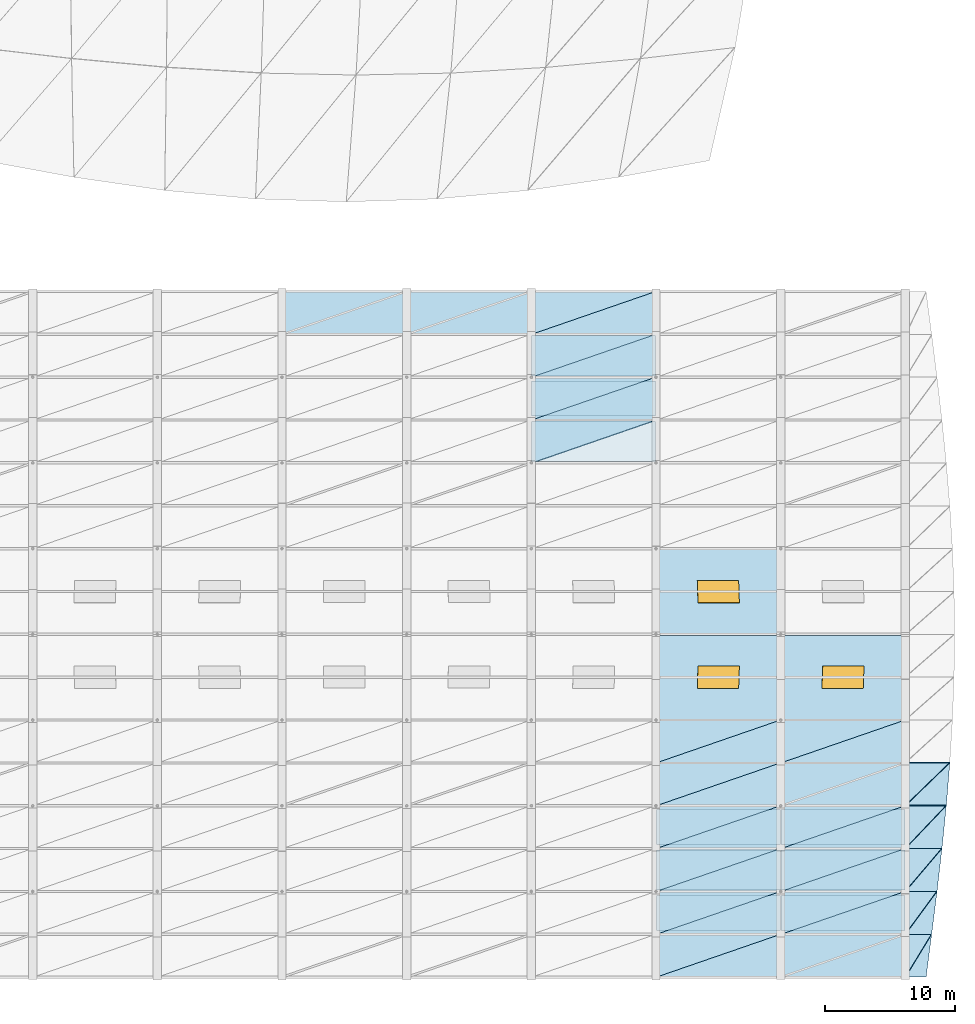
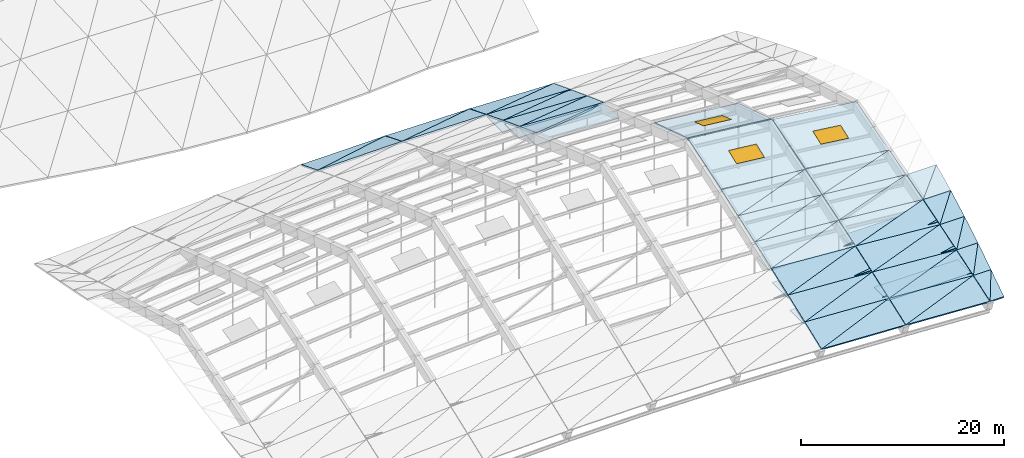
# One storey, part 40 of 43: 48 slabs, 9 plates, 3 windows, 3 openings.
"""IFC4 building model written with IfcOpenShell, lengths in metres."""

from ifc_helpers import new_model, si_unit, direction, frame, origin, origin_2d, place, context, subcontext, project, spatial, polyline, rectangle, outline, extrude, material, layer, layer_set, type_object, element, fill, save


model = new_model("IFC4")

# Units and contexts
model_context = context("Model", 3, precision=1e-05, world=origin(), true_north=direction((0.0, 1.0)))
body_context = subcontext(model_context, "Body", "Model", "MODEL_VIEW")
ifc_project = project(units=[si_unit("LENGTHUNIT", "METRE"), si_unit("AREAUNIT", "SQUARE_METRE"), si_unit("VOLUMEUNIT", "CUBIC_METRE"), si_unit("PLANEANGLEUNIT", "RADIAN"), si_unit("MASSUNIT", "GRAM", prefix="KILO")], contexts=[model_context])

# Site, building, storey
site_placement = place(None, origin())
site = spatial("IfcSite", under=ifc_project, at=site_placement, CompositionType="ELEMENT")
building_placement = place(site_placement, origin())
building = spatial("IfcBuilding", under=site, at=building_placement, Name="Chalmorin Arch Market", CompositionType="ELEMENT")
storey_placement = place(building_placement, frame((0.0, 0.0, 18.60009765625)))
storey = spatial("IfcBuildingStorey", under=building, at=storey_placement, Name="RF", CompositionType="ELEMENT", Elevation=18.60009765625)

# Slab, opening, window
ifc_material_1 = material(Name="Concrete C40/50", Category="concrete")
ifc_layer_1 = layer(ifc_material_1, 0.199951171875)
ifc_layer_set_1 = layer_set([ifc_layer_1], Name="Concrete C40/50")
slab_type_1 = type_object("IfcSlabType", Name="VaultCrownRoofSlab-200", PredefinedType="ROOF", material=ifc_layer_set_1)
slab_1_placement = place(storey_placement, frame((105.6201171875, 25.800048828125, 5.625), z_axis=(0.099241927648, -0.304801604826, 0.947231239715), x_axis=(0.994556219746, -3.666593e-06, -0.104201371162)))
slab_1 = element("IfcSlab", 1, at=slab_1_placement, inside=storey, type_object=slab_type_1, Name="RS-200-514", PredefinedType="ROOF", context=body_context, shape_type="SweptSolid", body=[
    extrude(outline(polyline([(0.0, 0.0), (9.612152373645833, 0.0), (9.393498930337671, 6.845805710086667), (-0.21862800352027978, 6.845731700817138), (0.0, 0.0)])), origin(), (0.0, 0.0, -1.0), 0.199951171875),
])
opening_1_placement = place(slab_1_placement, frame((4.6953125, 3.46484375, -0.21484375)))
opening_1 = element("IfcOpeningElement", 2, at=opening_1_placement, cuts=slab_1, Name="Opening SK-137", PredefinedType="OPENING", context=body_context, shape_type="SweptSolid", body=[
    extrude(rectangle(XDim=3.199951171875, YDim=1.800048828125, at=origin_2d()), origin(), (0.0, 0.0, 1.0), 0.22998046875),
])
ifc_material_2 = material(Name="Low-E Tempered Glass", Category="glass")
window_type = type_object("IfcWindowType", Name="VaultCrownSkylight-3200x1800", PartitioningType="SINGLE_PANEL", PredefinedType="SKYLIGHT", material=ifc_material_2)
window_1_placement = place(slab_1_placement, frame((4.6953125, 3.46484375, -0.050048828125)))
window_1 = element("IfcWindow", 3, at=window_1_placement, inside=storey, type_object=window_type, Name="SK-137", OverallHeight=1.800048828125, OverallWidth=3.199951171875, PartitioningType="SINGLE_PANEL", PredefinedType="SKYLIGHT", context=body_context, shape_type="SweptSolid", body=[
    extrude(rectangle(XDim=3.199951171875, YDim=1.800048828125, at=origin_2d()), origin(), (0.0, 0.0, 1.0), 0.050048828125),
])
fill(opening_1, window_1)

slab_2_placement = place(storey_placement, frame((105.6201171875, 32.47998046875, 7.722900390625), z_axis=(0.099241927648, 0.304801604826, 0.947231239715), x_axis=(0.994556464287, -3.666602e-06, -0.104199037095)))
slab_2 = element("IfcSlab", 4, at=slab_2_placement, inside=storey, type_object=slab_type_1, Name="RS-200-515", PredefinedType="ROOF", context=body_context, shape_type="SweptSolid", body=[
    extrude(outline(polyline([(0.0, 0.0), (9.61212693414287, 0.0), (9.830727667666224, 6.845807393421813), (0.2185752943053133, 6.8457333839564125), (0.0, 0.0)])), origin(), (0.0, 0.0, -1.0), 0.199951171875),
])
opening_2_placement = place(slab_2_placement, frame((4.913818359375, 3.380859375, -0.21484375)))
opening_2 = element("IfcOpeningElement", 5, at=opening_2_placement, cuts=slab_2, Name="Opening SK-138", PredefinedType="OPENING", context=body_context, shape_type="SweptSolid", body=[
    extrude(rectangle(XDim=3.199951171875, YDim=1.800048828125, at=origin_2d()), origin(), (0.0, 0.0, 1.0), 0.22998046875),
])
window_2_placement = place(slab_2_placement, frame((4.913818359375, 3.380859375, -0.050048828125)))
window_2 = element("IfcWindow", 6, at=window_2_placement, inside=storey, type_object=window_type, Name="SK-138", OverallHeight=1.800048828125, OverallWidth=3.199951171875, PartitioningType="SINGLE_PANEL", PredefinedType="SKYLIGHT", context=body_context, shape_type="SweptSolid", body=[
    extrude(rectangle(XDim=3.199951171875, YDim=1.800048828125, at=origin_2d()), origin(), (0.0, 0.0, 1.0), 0.050048828125),
])
fill(opening_2, window_2)

slab_3_placement = place(storey_placement, frame((115.219970703125, 25.800048828125, 4.743408203125), z_axis=(0.11756412144, -0.284806112623, 0.951348598339), x_axis=(0.992450805584, 0.0, -0.122643379341)))
slab_3 = element("IfcSlab", 7, at=slab_3_placement, inside=storey, type_object=slab_type_1, Name="RS-200-540", PredefinedType="ROOF", context=body_context, shape_type="SweptSolid", body=[
    extrude(outline(polyline([(0.0, 0.0), (9.632778309980296, -5.551115123125783e-17), (9.393390170862071, 6.801711431021612), (-0.2393881391182248, 6.801711431021612), (0.0, 0.0)])), origin(), (0.0, 0.0, -1.0), 0.199951171875),
])
opening_3_placement = place(slab_3_placement, frame((4.6953125, 3.442626953125, -0.21484375)))
opening_3 = element("IfcOpeningElement", 8, at=opening_3_placement, cuts=slab_3, Name="Opening SK-139", PredefinedType="OPENING", context=body_context, shape_type="SweptSolid", body=[
    extrude(rectangle(XDim=3.199951171875, YDim=1.800048828125, at=origin_2d()), origin(), (0.0, 0.0, 1.0), 0.22998046875),
])
window_3_placement = place(slab_3_placement, frame((4.6953125, 3.442626953125, -0.050048828125)))
window_3 = element("IfcWindow", 9, at=window_3_placement, inside=storey, type_object=window_type, Name="SK-139", OverallHeight=1.800048828125, OverallWidth=3.199951171875, PartitioningType="SINGLE_PANEL", PredefinedType="SKYLIGHT", context=body_context, shape_type="SweptSolid", body=[
    extrude(rectangle(XDim=3.199951171875, YDim=1.800048828125, at=origin_2d()), origin(), (0.0, 0.0, 1.0), 0.050048828125),
])
fill(opening_3, window_3)

# Plates
ifc_material_3 = material(Name="Precast concrete C40/50", Category="concrete")
ifc_layer_2 = layer(ifc_material_3, 0.06005859375)
ifc_layer_set_2 = layer_set([ifc_layer_2], Name="Precast concrete C40/50")
plate_type_1 = type_object("IfcPlateType", Name="VaultRoofCassette-9600x2700x60", PredefinedType="SHEET", material=ifc_layer_set_2)
for number, where, z_axis, x_axis, name in (
    (10, (100.800048828125, 50.550048828125, 0.909912109375), (0.0, 0.0, 1.0), (1.0, 0.0, 0.0), "VRC-02-081"),
    (11, (110.39990234375, 10.949951171875, -0.814453125), (0.0, 0.0, 1.0), (1.0, 0.0, 0.0), "VRC-02-083"),
    (12, (110.39990234375, 17.550048828125, 1.53857421875), (0.0, 0.0, 1.0), (1.0, 0.0, 0.0), "VRC-02-085"),
    (13, (120.0, 10.949951171875, -1.4287109375), (0.0, 0.0, 1.0), (1.0, 0.0, 0.0), "VRC-02-089"),
    (14, (120.0, 17.550048828125, 0.7607421875), (0.0, 0.0, 1.0), (1.0, 0.0, 0.0), "VRC-02-091"),
):
    element("IfcPlate", number, at=place(storey_placement, frame(where, z_axis=z_axis, x_axis=x_axis)), inside=storey, type_object=plate_type_1, Name=name, PredefinedType="SHEET", context=body_context, shape_type="SweptSolid", body=[
        extrude(rectangle(XDim=9.550048828125, YDim=2.699951171875, at=origin_2d()), origin(), (0.0, 0.0, 1.0), 0.06005859375),
    ])
ifc_layer_3 = layer(ifc_material_3, 0.06005859375)
ifc_layer_set_3 = layer_set([ifc_layer_3], Name="Precast concrete C40/50")
plate_type_2 = type_object("IfcPlateType", Name="VaultRoofCassette-9600x3100x60", PredefinedType="SHEET", material=ifc_layer_set_3)
for number, where, z_axis, x_axis, name in (
    (15, (100.800048828125, 47.25, 2.13427734375), (0.0, 0.0, 1.0), (1.0, 0.0, 0.0), "VRC-01-080"),
    (16, (100.800048828125, 53.85009765625, -0.34423828125), (0.0, 0.0, 1.0), (1.0, 0.0, 0.0), "VRC-01-082"),
    (17, (110.39990234375, 14.25, 0.376220703125), (0.0, 0.0, 1.0), (1.0, 0.0, 0.0), "VRC-01-084"),
    (18, (120.0, 14.25, -0.32080078125), (0.0, 0.0, 1.0), (1.0, 0.0, 0.0), "VRC-01-090"),
):
    element("IfcPlate", number, at=place(storey_placement, frame(where, z_axis=z_axis, x_axis=x_axis)), inside=storey, type_object=plate_type_2, Name=name, PredefinedType="SHEET", context=body_context, shape_type="SweptSolid", body=[
        extrude(rectangle(XDim=9.550048828125, YDim=3.10009765625, at=origin_2d()), origin(), (0.0, 0.0, 1.0), 0.06005859375),
    ])

# Slabs
ifc_layer_4 = layer(ifc_material_1, 0.18994140625)
ifc_layer_set_4 = layer_set([ifc_layer_4], Name="Concrete C40/50")
slab_type_2 = type_object("IfcSlabType", Name="VaultSlopedRoofSlab-190", PredefinedType="ROOF", material=ifc_layer_set_4)
slab_4_placement = place(storey_placement, frame((76.820068359375, 55.5, -0.031982421875), z_axis=(-0.011713246609, 0.375922769388, 0.92657696459), x_axis=(0.999920106852, 0.0, 0.012640407919)))
element("IfcSlab", 19, at=slab_4_placement, inside=storey, type_object=slab_type_2, Name="RS-190-460", PredefinedType="ROOF", context=body_context, shape_type="SweptSolid", body=[
    extrude(outline(polyline([(0.0, 0.0), (9.560578277816866, 0.0), (9.543654450417241, 3.561263988788179), (0.0, 0.0)])), origin(), (0.0, 0.0, -1.0), 0.18994140625),
])
slab_5_placement = place(storey_placement, frame((76.820068359375, 55.5, -0.031982421875), z_axis=(-0.009981288179, 0.371561631569, 0.928354634734), x_axis=(0.938482617572, 0.323964285868, -0.119572229207)))
element("IfcSlab", 20, at=slab_5_placement, inside=storey, type_object=slab_type_2, Name="RS-190-461", PredefinedType="ROOF", context=body_context, shape_type="SweptSolid", body=[
    extrude(outline(polyline([(0.0, 0.0), (10.186458730432689, -2.220446049250313e-16), (1.227029055684595, 3.3360510590015804), (0.0, 0.0)])), origin(), (0.0, 0.0, -1.0), 0.18994140625),
])
slab_6_placement = place(storey_placement, frame((86.419921875, 55.5, 0.0888671875), z_axis=(0.011735195661, 0.371554554646, 0.928336952892), x_axis=(0.999920110932, 0.0, -0.012640085166)))
element("IfcSlab", 21, at=slab_6_placement, inside=storey, type_object=slab_type_2, Name="RS-190-486", PredefinedType="ROOF", context=body_context, shape_type="SweptSolid", body=[
    extrude(outline(polyline([(0.0, 0.0), (9.560822398937201, 6.938893903907228e-18), (9.57751743329889, 3.554512378314002), (0.0, 0.0)])), origin(), (0.0, 0.0, -1.0), 0.18994140625),
])
slab_7_placement = place(storey_placement, frame((86.419921875, 55.5, 0.0888671875), z_axis=(0.009962110073, 0.375929904657, 0.92659455165), x_axis=(0.935807340932, 0.32303253045, -0.141119116099)))
element("IfcSlab", 22, at=slab_7_placement, inside=storey, type_object=slab_type_2, Name="RS-190-487", PredefinedType="ROOF", context=body_context, shape_type="SweptSolid", body=[
    extrude(outline(polyline([(0.0, 0.0), (10.21584056417932, 3.3306690738754696e-16), (1.2549628776331125, 3.3328600014906367), (0.0, 0.0)])), origin(), (0.0, 0.0, -1.0), 0.18994140625),
])
slab_8_placement = place(storey_placement, frame((96.02001953125, 45.60009765625, 3.74853515625), z_axis=(0.04346336264, 0.348878104719, 0.936159710816), x_axis=(0.932591829001, 0.321898747657, -0.163259537969)))
element("IfcSlab", 23, at=slab_8_placement, inside=storey, type_object=slab_type_2, Name="RS-190-507", PredefinedType="ROOF", context=body_context, shape_type="SweptSolid", body=[
    extrude(outline(polyline([(0.0, 0.0), (10.251064073760183, -1.1102230246251565e-16), (1.2629691811741939, 3.287228507384529), (0.0, 0.0)])), origin(), (0.0, 0.0, -1.0), 0.18994140625),
])
slab_9_placement = place(storey_placement, frame((96.02001953125, 48.89990234375, 2.518798828125), z_axis=(0.043544219459, 0.344158496657, 0.937901290185), x_axis=(0.998923992344, 0.0, -0.046377338426)))
element("IfcSlab", 24, at=slab_9_placement, inside=storey, type_object=slab_type_2, Name="RS-190-508", PredefinedType="ROOF", context=body_context, shape_type="SweptSolid", body=[
    extrude(outline(polyline([(0.0, 0.0), (9.570356370475023, -2.7755575615628914e-17), (9.626516428725138, 3.5147600124009575), (0.0, 0.0)])), origin(), (0.0, 0.0, -1.0), 0.18994140625),
])
slab_10_placement = place(storey_placement, frame((96.02001953125, 48.89990234375, 2.518798828125), z_axis=(0.038524448634, 0.356494852845, 0.933502697774), x_axis=(0.932862439391, 0.322015976129, -0.161472537264)))
element("IfcSlab", 25, at=slab_10_placement, inside=storey, type_object=slab_type_2, Name="RS-190-509", PredefinedType="ROOF", context=body_context, shape_type="SweptSolid", body=[
    extrude(outline(polyline([(0.0, 0.0), (10.248090382958562, 1.1102230246251565e-16), (1.2661648405009227, 3.29778543463744), (0.0, 0.0)])), origin(), (0.0, 0.0, -1.0), 0.18994140625),
])
slab_11_placement = place(storey_placement, frame((96.02001953125, 52.199951171875, 1.258544921875), z_axis=(0.038601838251, 0.351536586026, 0.935377959313), x_axis=(0.999149533114, 0.0, -0.041233608599)))
element("IfcSlab", 26, at=slab_11_placement, inside=storey, type_object=slab_type_2, Name="RS-190-510", PredefinedType="ROOF", context=body_context, shape_type="SweptSolid", body=[
    extrude(outline(polyline([(0.0, 0.0), (9.568196027630275, 0.0), (9.619335366419817, 3.5250373531310264), (0.0, 0.0)])), origin(), (0.0, 0.0, -1.0), 0.18994140625),
])
slab_12_placement = place(storey_placement, frame((96.02001953125, 52.199951171875, 1.258544921875), z_axis=(0.033516063907, 0.363999883152, 0.930795766281), x_axis=(0.933155054347, 0.322116984259, -0.159569085344)))
element("IfcSlab", 27, at=slab_12_placement, inside=storey, type_object=slab_type_2, Name="RS-190-511", PredefinedType="ROOF", context=body_context, shape_type="SweptSolid", body=[
    extrude(outline(polyline([(0.0, 0.0), (10.244876828572615, -1.1102230246251565e-16), (1.2689300442771159, 3.308413462024735), (0.0, 0.0)])), origin(), (0.0, 0.0, -1.0), 0.18994140625),
])
slab_13_placement = place(storey_placement, frame((96.02001953125, 55.5, -0.031982421875), z_axis=(0.033588786704, 0.358785769696, 0.932815396995), x_axis=(0.999352342864, 0.0, -0.035984646903)))
element("IfcSlab", 28, at=slab_13_placement, inside=storey, type_object=slab_type_2, Name="RS-190-512", PredefinedType="ROOF", context=body_context, shape_type="SweptSolid", body=[
    extrude(outline(polyline([(0.0, 0.0), (9.566254246580067, 0.0), (9.611929095029788, 3.535438564344433), (0.0, 0.0)])), origin(), (0.0, 0.0, -1.0), 0.18994140625),
])
slab_14_placement = place(storey_placement, frame((96.02001953125, 55.5, -0.031982421875), z_axis=(0.028415730057, 0.371430094394, 0.928025986308), x_axis=(0.933461913265, 0.322222909281, -0.157547622064)))
element("IfcSlab", 29, at=slab_14_placement, inside=storey, type_object=slab_type_2, Name="RS-190-513", PredefinedType="ROOF", context=body_context, shape_type="SweptSolid", body=[
    extrude(outline(polyline([(0.0, 0.0), (10.241509008448608, -1.1102230246251565e-16), (1.2714403564720296, 3.31937891655865), (0.0, 0.0)])), origin(), (0.0, 0.0, -1.0), 0.18994140625),
])
slab_15_placement = place(storey_placement, frame((105.6201171875, 6.0, -1.6455078125), z_axis=(0.043050162493, -0.339444032363, 0.939640586822), x_axis=(0.998952116488, 0.0, -0.045767553617)))
element("IfcSlab", 30, at=slab_15_placement, inside=storey, type_object=slab_type_2, Name="RS-190-516", PredefinedType="ROOF", context=body_context, shape_type="SweptSolid", body=[
    extrude(outline(polyline([(0.0, 0.0), (9.569842533327806, 2.7755575615628914e-17), (9.51528126274391, 3.5083528825848393), (0.0, 0.0)])), origin(), (0.0, 0.0, -1.0), 0.18994140625),
])
slab_16_placement = place(storey_placement, frame((105.6201171875, 6.0, -1.6455078125), z_axis=(0.050230245838, -0.358535169614, 0.932163856064), x_axis=(0.942647192545, 0.325401897531, 0.074363132461)))
element("IfcSlab", 31, at=slab_16_placement, inside=storey, type_object=slab_type_2, Name="RS-190-517", PredefinedType="ROOF", context=body_context, shape_type="SweptSolid", body=[
    extrude(outline(polyline([(0.0, 0.0), (10.141455391504055, 4.996003610813204e-16), (1.1682303160633964, 3.3371619623064666), (0.0, 0.0)])), origin(), (0.0, 0.0, -1.0), 0.18994140625),
])
slab_17_placement = place(storey_placement, frame((105.6201171875, 9.300048828125, -0.376220703125), z_axis=(0.050747817537, -0.332409500897, 0.941768858441), x_axis=(0.998551322998, 0.0, -0.053807576973)))
element("IfcSlab", 32, at=slab_17_placement, inside=storey, type_object=slab_type_2, Name="RS-190-518", PredefinedType="ROOF", context=body_context, shape_type="SweptSolid", body=[
    extrude(outline(polyline([(0.0, 0.0), (9.573683628425485, -2.7755575615628914e-17), (9.511008836009138, 3.4990200554484594), (0.0, 0.0)])), origin(), (0.0, 0.0, -1.0), 0.18994140625),
])
slab_18_placement = place(storey_placement, frame((105.6201171875, 9.300048828125, -0.376220703125), z_axis=(0.057731449157, -0.35121204381, 0.934514408696), x_axis=(0.943320130757, 0.325634195864, 0.064105392853)))
element("IfcSlab", 33, at=slab_18_placement, inside=storey, type_object=slab_type_2, Name="RS-190-519", PredefinedType="ROOF", context=body_context, shape_type="SweptSolid", body=[
    extrude(outline(polyline([(0.0, 0.0), (10.134220760723265, -2.498001805406602e-16), (1.1541144582971183, 3.3311444565029555), (0.0, 0.0)])), origin(), (0.0, 0.0, -1.0), 0.18994140625),
])
slab_19_placement = place(storey_placement, frame((105.6201171875, 12.60009765625, 0.864013671875), z_axis=(0.058306475553, -0.325268220907, 0.943822514765), x_axis=(0.998097248777, 0.0, -0.061659403039)))
element("IfcSlab", 34, at=slab_19_placement, inside=storey, type_object=slab_type_2, Name="RS-190-520", PredefinedType="ROOF", context=body_context, shape_type="SweptSolid", body=[
    extrude(outline(polyline([(0.0, 0.0), (9.578039078692683, 0.0), (9.50791957201422, 3.489560726274094), (0.0, 0.0)])), origin(), (0.0, 0.0, -1.0), 0.18994140625),
])
slab_20_placement = place(storey_placement, frame((105.6201171875, 12.60009765625, 0.864013671875), z_axis=(0.065097217491, -0.343776976932, 0.93679226214), x_axis=(0.943894080831, 0.32580821811, 0.053971929591)))
element("IfcSlab", 35, at=slab_20_placement, inside=storey, type_object=slab_type_2, Name="RS-190-521", PredefinedType="ROOF", context=body_context, shape_type="SweptSolid", body=[
    extrude(outline(polyline([(0.0, 0.0), (10.128058483749275, 4.718447854656915e-16), (1.140460118832715, 3.324820494689194), (0.0, 0.0)])), origin(), (0.0, 0.0, -1.0), 0.18994140625),
])
slab_21_placement = place(storey_placement, frame((105.6201171875, 15.89990234375, 2.074951171875), z_axis=(0.065721922368, -0.3180828434, 0.945782180872), x_axis=(0.997594314234, 0.0, -0.069322321144)))
element("IfcSlab", 36, at=slab_21_placement, inside=storey, type_object=slab_type_2, Name="RS-190-522", PredefinedType="ROOF", context=body_context, shape_type="SweptSolid", body=[
    extrude(outline(polyline([(0.0, 0.0), (9.582867821845197, 2.7755575615628914e-17), (9.50592952303662, 3.480833128613414), (0.0, 0.0)])), origin(), (0.0, 0.0, -1.0), 0.18994140625),
])
slab_22_placement = place(storey_placement, frame((105.6201171875, 15.89990234375, 2.074951171875), z_axis=(0.072301010424, -0.336226166631, 0.939001878999), x_axis=(0.94434839252, 0.325989151919, 0.044013479489)))
element("IfcSlab", 37, at=slab_22_placement, inside=storey, type_object=slab_type_2, Name="RS-190-523", PredefinedType="ROOF", context=body_context, shape_type="SweptSolid", body=[
    extrude(outline(polyline([(0.0, 0.0), (10.123186028429581, -3.3306690738754696e-16), (1.1277882341831578, 3.318838732674067), (0.0, 0.0)])), origin(), (0.0, 0.0, -1.0), 0.18994140625),
])
slab_23_placement = place(storey_placement, frame((105.6201171875, 19.199951171875, 3.256591796875), z_axis=(0.072966970432, -0.310859242536, 0.947650965575), x_axis=(0.99704879106, 0.0, -0.076770490718)))
element("IfcSlab", 38, at=slab_23_placement, inside=storey, type_object=slab_type_2, Name="RS-190-524", PredefinedType="ROOF", context=body_context, shape_type="SweptSolid", body=[
    extrude(outline(polyline([(0.0, 0.0), (9.588110971939729, 0.0), (9.505005416313786, 3.4720691626422147), (0.0, 0.0)])), origin(), (0.0, 0.0, -1.0), 0.18994140625),
])
slab_24_placement = place(storey_placement, frame((105.6201171875, 19.199951171875, 3.256591796875), z_axis=(0.079360091137, -0.328691283062, 0.941097240658), x_axis=(0.944710305701, 0.326114084382, 0.034235102888)))
element("IfcSlab", 39, at=slab_24_placement, inside=storey, type_object=slab_type_2, Name="RS-190-525", PredefinedType="ROOF", context=body_context, shape_type="SweptSolid", body=[
    extrude(outline(polyline([(0.0, 0.0), (10.119307893049081, 1.6653345369377348e-16), (1.1156513670242374, 3.3127183914244096), (0.0, 0.0)])), origin(), (0.0, 0.0, -1.0), 0.18994140625),
])
slab_25_placement = place(storey_placement, frame((105.6201171875, 22.5, 4.4091796875), z_axis=(0.080063340026, -0.303578139229, 0.949436767229), x_axis=(0.996463313136, 0.0, -0.084028956763)))
element("IfcSlab", 40, at=slab_25_placement, inside=storey, type_object=slab_type_2, Name="RS-190-526", PredefinedType="ROOF", context=body_context, shape_type="SweptSolid", body=[
    extrude(outline(polyline([(0.0, 0.0), (9.593744523360588, 2.7755575615628914e-17), (9.505079203260427, 3.4635035236530762), (0.0, 0.0)])), origin(), (0.0, 0.0, -1.0), 0.18994140625),
])
slab_26_placement = place(storey_placement, frame((105.6201171875, 22.5, 4.4091796875), z_axis=(0.086273749207, -0.321091494642, 0.943110328788), x_axis=(0.944977985989, 0.326206487642, 0.024615714833)))
element("IfcSlab", 41, at=slab_26_placement, inside=storey, type_object=slab_type_2, Name="RS-190-527", PredefinedType="ROOF", context=body_context, shape_type="SweptSolid", body=[
    extrude(outline(polyline([(0.0, 0.0), (10.116441435535085, -5.412337245047638e-16), (1.1041539582816602, 3.3065839701646538), (0.0, 0.0)])), origin(), (0.0, 0.0, -1.0), 0.18994140625),
])
slab_27_placement = place(storey_placement, frame((115.219970703125, 6.0, -2.08349609375), z_axis=(0.051192320591, -0.316086453496, 0.947348246543), x_axis=(0.998543164632, 0.0, -0.053958765421)))
element("IfcSlab", 42, at=slab_27_placement, inside=storey, type_object=slab_type_2, Name="RS-190-542", PredefinedType="ROOF", context=body_context, shape_type="SweptSolid", body=[
    extrude(outline(polyline([(0.0, 0.0), (9.57400634480209, 0.0), (9.514593739321258, 3.4783842291378755), (0.0, 0.0)])), origin(), (0.0, 0.0, -1.0), 0.18994140625),
])
slab_28_placement = place(storey_placement, frame((115.219970703125, 6.0, -2.08349609375), z_axis=(0.059675258205, -0.339153515206, 0.938836384404), x_axis=(0.943692440065, 0.325754397884, 0.057694460941)))
element("IfcSlab", 43, at=slab_28_placement, inside=storey, type_object=slab_type_2, Name="RS-190-543", PredefinedType="ROOF", context=body_context, shape_type="SweptSolid", body=[
    extrude(outline(polyline([(0.0, 0.0), (10.13048127533171, 2.7755575615628914e-17), (1.1437852170353984, 3.317118065170482), (0.0, 0.0)])), origin(), (0.0, 0.0, -1.0), 0.18994140625),
])
slab_29_placement = place(storey_placement, frame((115.219970703125, 9.300048828125, -0.891357421875), z_axis=(0.060322137858, -0.309410513803, 0.949013368521), x_axis=(0.997985973277, 0.0, -0.063434983592)))
element("IfcSlab", 44, at=slab_29_placement, inside=storey, type_object=slab_type_2, Name="RS-190-544", PredefinedType="ROOF", context=body_context, shape_type="SweptSolid", body=[
    extrude(outline(polyline([(0.0, 0.0), (9.579351663994741, -2.7755575615628914e-17), (9.511100205818767, 3.470343570320287), (0.0, 0.0)])), origin(), (0.0, 0.0, -1.0), 0.18994140625),
])
slab_30_placement = place(storey_placement, frame((115.219970703125, 9.300048828125, -0.891357421875), z_axis=(0.068542975348, -0.332055582319, 0.940766150954), x_axis=(0.944255422222, 0.325948734414, 0.046250623112)))
element("IfcSlab", 45, at=slab_30_placement, inside=storey, type_object=slab_type_2, Name="RS-190-545", PredefinedType="ROOF", context=body_context, shape_type="SweptSolid", body=[
    extrude(outline(polyline([(0.0, 0.0), (10.124441299211979, -2.7755575615628914e-17), (1.1295192299655819, 3.3122886026391085), (0.0, 0.0)])), origin(), (0.0, 0.0, -1.0), 0.18994140625),
])
slab_31_placement = place(storey_placement, frame((115.219970703125, 12.60009765625, 0.2734375), z_axis=(0.069260032171, -0.302568451271, 0.950607900367), x_axis=(0.997356327314, 0.0, -0.072666060622)))
element("IfcSlab", 46, at=slab_31_placement, inside=storey, type_object=slab_type_2, Name="RS-190-546", PredefinedType="ROOF", context=body_context, shape_type="SweptSolid", body=[
    extrude(outline(polyline([(0.0, 0.0), (9.585399251934621, 2.7755575615628914e-17), (9.50907859939681, 3.4620805094406553), (0.0, 0.0)])), origin(), (0.0, 0.0, -1.0), 0.18994140625),
])
slab_32_placement = place(storey_placement, frame((115.219970703125, 12.60009765625, 0.2734375), z_axis=(0.07724660874, -0.324848980623, 0.942606015908), x_axis=(0.944696677106, 0.326076926497, 0.034957492342)))
element("IfcSlab", 47, at=slab_32_placement, inside=storey, type_object=slab_type_2, Name="RS-190-547", PredefinedType="ROOF", context=body_context, shape_type="SweptSolid", body=[
    extrude(outline(polyline([(0.0, 0.0), (10.119712311293995, 6.938893903907228e-17), (1.115744076626355, 3.307123517960074), (0.0, 0.0)])), origin(), (0.0, 0.0, -1.0), 0.18994140625),
])
slab_33_placement = place(storey_placement, frame((115.219970703125, 15.89990234375, 1.41064453125), z_axis=(0.078022311006, -0.295757084002, 0.952071565718), x_axis=(0.996658913962, 0.0, -0.081676246358)))
element("IfcSlab", 48, at=slab_33_placement, inside=storey, type_object=slab_type_2, Name="RS-190-548", PredefinedType="ROOF", context=body_context, shape_type="SweptSolid", body=[
    extrude(outline(polyline([(0.0, 0.0), (9.592106647340225, 0.0), (9.50837653052888, 3.4545964814974224), (0.0, 0.0)])), origin(), (0.0, 0.0, -1.0), 0.18994140625),
])
slab_34_placement = place(storey_placement, frame((115.219970703125, 15.89990234375, 1.41064453125), z_axis=(0.085756982292, -0.317597706499, 0.944339682961), x_axis=(0.944997161594, 0.326204776374, 0.023891597885)))
element("IfcSlab", 49, at=slab_34_placement, inside=storey, type_object=slab_type_2, Name="RS-190-549", PredefinedType="ROOF", context=body_context, shape_type="SweptSolid", body=[
    extrude(outline(polyline([(0.0, 0.0), (10.116494506314268, 1.0547118733938987e-15), (1.1030080972259642, 3.3023464246699143), (0.0, 0.0)])), origin(), (0.0, 0.0, -1.0), 0.18994140625),
])
slab_35_placement = place(storey_placement, frame((115.219970703125, 19.199951171875, 2.5205078125), z_axis=(0.086584402551, -0.288849757077, 0.953451078489), x_axis=(0.995901957403, 0.0, -0.090439434101)))
element("IfcSlab", 50, at=slab_35_placement, inside=storey, type_object=slab_type_2, Name="RS-190-550", PredefinedType="ROOF", context=body_context, shape_type="SweptSolid", body=[
    extrude(outline(polyline([(0.0, 0.0), (9.599397332924068, -2.7755575615628914e-17), (9.508979978763065, 3.4469782053895197), (0.0, 0.0)])), origin(), (0.0, 0.0, -1.0), 0.18994140625),
])
slab_36_placement = place(storey_placement, frame((115.219970703125, 19.199951171875, 2.5205078125), z_axis=(0.094094331558, -0.310307217052, 0.945968121986), x_axis=(0.945186978713, 0.326270299588, 0.013010260522)))
element("IfcSlab", 51, at=slab_36_placement, inside=storey, type_object=slab_type_2, Name="RS-190-551", PredefinedType="ROOF", context=body_context, shape_type="SweptSolid", body=[
    extrude(outline(polyline([(0.0, 0.0), (10.114462861909535, -5.48172618408671e-16), (1.0907917809286172, 3.297323777581674), (0.0, 0.0)])), origin(), (0.0, 0.0, -1.0), 0.18994140625),
])
slab_37_placement = place(storey_placement, frame((115.219970703125, 22.5, 3.60302734375), z_axis=(0.094964415438, -0.281957829099, 0.954715424831), x_axis=(0.995089386539, 0.0, -0.098980365713)))
element("IfcSlab", 52, at=slab_37_placement, inside=storey, type_object=slab_type_2, Name="RS-190-552", PredefinedType="ROOF", context=body_context, shape_type="SweptSolid", body=[
    extrude(outline(polyline([(0.0, 0.0), (9.607236016250294, 0.0), (9.510768823885938, 3.4396045968460403), (0.0, 0.0)])), origin(), (0.0, 0.0, -1.0), 0.18994140625),
])
slab_38_placement = place(storey_placement, frame((115.219970703125, 22.5, 3.60302734375), z_axis=(0.102232091462, -0.302960133293, 0.947503961528), x_axis=(0.945264391896, 0.326297021943, 0.002341555902)))
element("IfcSlab", 53, at=slab_38_placement, inside=storey, type_object=slab_type_2, Name="RS-190-553", PredefinedType="ROOF", context=body_context, shape_type="SweptSolid", body=[
    extrude(outline(polyline([(0.0, 0.0), (10.113634529883168, -2.888314587501384e-16), (1.07926685796338, 3.292248661120175), (0.0, 0.0)])), origin(), (0.0, 0.0, -1.0), 0.18994140625),
])
slab_39_placement = place(storey_placement, frame((124.820068359375, 6.0, -2.60009765625), z_axis=(0.0, -0.316501445903, 0.948592027555), x_axis=(1.0, 0.0, 0.0)))
element("IfcSlab", 54, at=slab_39_placement, inside=storey, type_object=slab_type_2, Name="RS-190-598", PredefinedType="ROOF", context=body_context, shape_type="SweptSolid", body=[
    extrude(outline(polyline([(0.0, 0.0), (1.579833984375, 0.0), (2.009033203125, 3.4788915911831895), (0.0, 0.0)])), origin(), (0.0, 0.0, -1.0), 0.18994140625),
])
slab_40_placement = place(storey_placement, frame((124.820068359375, 6.0, -2.60009765625), z_axis=(0.0, -0.316501445903, 0.948592027555), x_axis=(0.500092261255, 0.821454258765, 0.274081431311)))
element("IfcSlab", 55, at=slab_40_placement, inside=storey, type_object=slab_type_2, Name="RS-190-599", PredefinedType="ROOF", context=body_context, shape_type="SweptSolid", body=[
    extrude(outline(polyline([(0.0, 0.0), (4.017325119337967, 1.1102230246251565e-16), (3.012623161851428, 1.7397667624947362), (0.0, 0.0)])), origin(), (0.0, 0.0, -1.0), 0.18994140625),
])
slab_41_placement = place(storey_placement, frame((124.820068359375, 9.300048828125, -1.4990234375), z_axis=(0.0, -0.309974990116, 0.950744711004), x_axis=(1.0, 0.0, 0.0)))
element("IfcSlab", 56, at=slab_41_placement, inside=storey, type_object=slab_type_2, Name="RS-190-600", PredefinedType="ROOF", context=body_context, shape_type="SweptSolid", body=[
    extrude(outline(polyline([(0.0, 0.0), (2.009033203125, 0.0), (2.421875, 3.4710146582240915), (0.0, 0.0)])), origin(), (0.0, 0.0, -1.0), 0.18994140625),
])
slab_42_placement = place(storey_placement, frame((124.820068359375, 9.300048828125, -1.4990234375), z_axis=(0.0, -0.309974990116, 0.950744711004), x_axis=(0.572219237732, 0.779706394801, 0.254210703698)))
element("IfcSlab", 57, at=slab_42_placement, inside=storey, type_object=slab_type_2, Name="RS-190-601", PredefinedType="ROOF", context=body_context, shape_type="SweptSolid", body=[
    extrude(outline(polyline([(0.0, 0.0), (4.232424987313007, -2.498001805406602e-16), (2.846581520929743, 1.986181361887131), (0.0, 0.0)])), origin(), (0.0, 0.0, -1.0), 0.18994140625),
])
slab_43_placement = place(storey_placement, frame((124.820068359375, 12.60009765625, -0.423095703125), z_axis=(0.0, -0.303296775801, 0.952896146381), x_axis=(1.0, 0.0, 0.0)))
element("IfcSlab", 58, at=slab_43_placement, inside=storey, type_object=slab_type_2, Name="RS-190-602", PredefinedType="ROOF", context=body_context, shape_type="SweptSolid", body=[
    extrude(outline(polyline([(0.0, 0.0), (2.421875, 0.0), (2.802001953125, 3.462921641598703), (0.0, 0.0)])), origin(), (0.0, 0.0, -1.0), 0.18994140625),
])
slab_44_placement = place(storey_placement, frame((124.820068359375, 12.60009765625, -0.423095703125), z_axis=(0.0, -0.303296775801, 0.952896146381), x_axis=(0.629019799977, 0.740771248278, 0.235779661889)))
element("IfcSlab", 59, at=slab_44_placement, inside=storey, type_object=slab_type_2, Name="RS-190-603", PredefinedType="ROOF", context=body_context, shape_type="SweptSolid", body=[
    extrude(outline(polyline([(0.0, 0.0), (4.454552866581446, -2.7755575615628914e-16), (2.692038158490987, 2.178246278335193), (0.0, 0.0)])), origin(), (0.0, 0.0, -1.0), 0.18994140625),
])
slab_45_placement = place(storey_placement, frame((124.820068359375, 15.89990234375, 0.627197265625), z_axis=(0.0, -0.296661422778, 0.95498272248), x_axis=(1.0, 0.0, 0.0)))
element("IfcSlab", 60, at=slab_45_placement, inside=storey, type_object=slab_type_2, Name="RS-190-604", PredefinedType="ROOF", context=body_context, shape_type="SweptSolid", body=[
    extrude(outline(polyline([(0.0, 0.0), (2.802001953125, 0.0), (3.135986328125, 3.455611028810333), (0.0, 0.0)])), origin(), (0.0, 0.0, -1.0), 0.18994140625),
])
slab_46_placement = place(storey_placement, frame((124.820068359375, 15.89990234375, 0.627197265625), z_axis=(0.0, -0.296661422778, 0.95498272248), x_axis=(0.672029780283, 0.707187741541, 0.219684939464)))
element("IfcSlab", 61, at=slab_46_placement, inside=storey, type_object=slab_type_2, Name="RS-190-605", PredefinedType="ROOF", context=body_context, shape_type="SweptSolid", body=[
    extrude(outline(polyline([(0.0, 0.0), (4.666439524157849, -1.3877787807814457e-16), (2.558963321096644, 2.322273520435878), (0.0, 0.0)])), origin(), (0.0, 0.0, -1.0), 0.18994140625),
])
slab_47_placement = place(storey_placement, frame((124.820068359375, 19.199951171875, 1.65234375), z_axis=(0.0, -0.2899386161, 0.957045243912), x_axis=(1.0, 0.0, 0.0)))
element("IfcSlab", 62, at=slab_47_placement, inside=storey, type_object=slab_type_2, Name="RS-190-606", PredefinedType="ROOF", context=body_context, shape_type="SweptSolid", body=[
    extrude(outline(polyline([(0.0, 0.0), (3.135986328125, 0.0), (3.408935546875, 3.4481638659384837), (0.0, 0.0)])), origin(), (0.0, 0.0, -1.0), 0.18994140625),
])
slab_48_placement = place(storey_placement, frame((124.820068359375, 19.199951171875, 1.65234375), z_axis=(0.0, -0.2899386161, 0.957045243912), x_axis=(0.703050036946, 0.680593522123, 0.206187058748)))
element("IfcSlab", 63, at=slab_48_placement, inside=storey, type_object=slab_type_2, Name="RS-190-607", PredefinedType="ROOF", context=body_context, shape_type="SweptSolid", body=[
    extrude(outline(polyline([(0.0, 0.0), (4.848780837397354, 0.0), (2.4521285752205397, 2.4242317333437238), (0.0, 0.0)])), origin(), (0.0, 0.0, -1.0), 0.18994140625),
])

save(model, "model.ifc")
